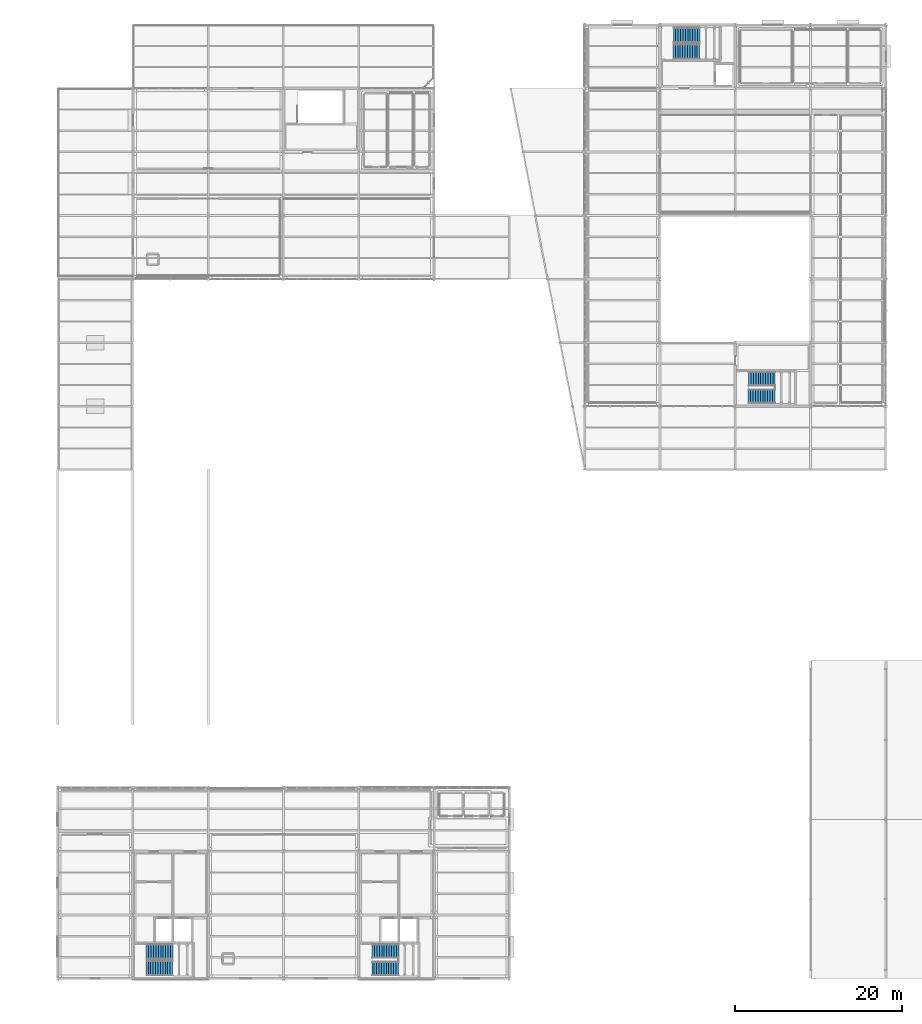
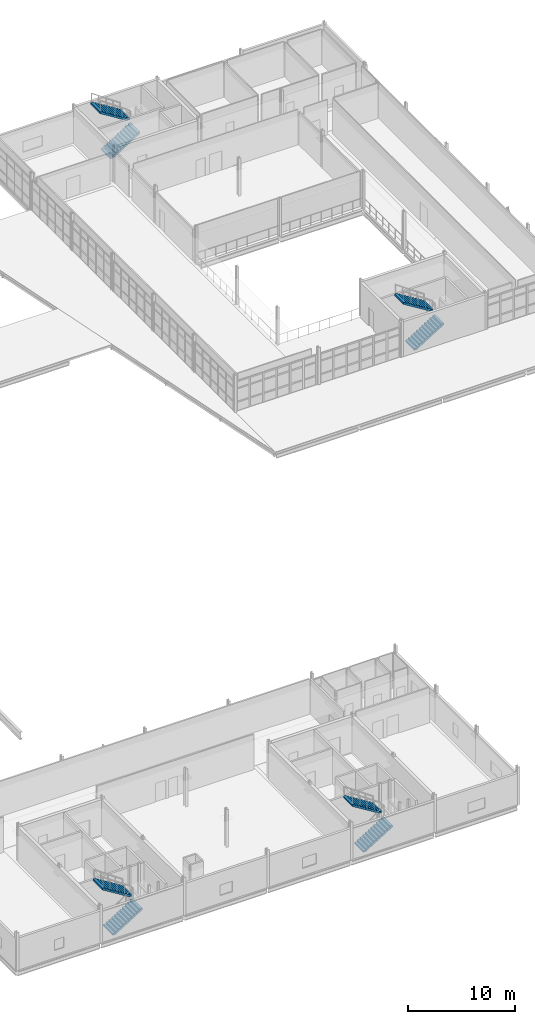
# One storey, part 92 of 96: 8 stair flights, 4 elements without a shape of their own.
"""IFC4 building model written with IfcOpenShell, lengths in metres."""

from ifc_helpers import new_model, si_unit, direction, frame, origin, place, context, subcontext, project, spatial, polyline, outline, extrude, material, type_object, element, aggregate, save


model = new_model("IFC4")

# Units and contexts
model_context = context("Model", 3, precision=1e-05, world=origin(), true_north=direction((0.0, 1.0)))
body_context = subcontext(model_context, "Body", "Model", "MODEL_VIEW")
ifc_project = project(units=[si_unit("LENGTHUNIT", "METRE"), si_unit("AREAUNIT", "SQUARE_METRE"), si_unit("VOLUMEUNIT", "CUBIC_METRE"), si_unit("PLANEANGLEUNIT", "RADIAN"), si_unit("MASSUNIT", "GRAM", prefix="KILO")], contexts=[model_context])

# Site, building, storey
site_placement = place(None, origin())
site = spatial("IfcSite", under=ifc_project, at=site_placement, CompositionType="ELEMENT")
building_placement = place(site_placement, origin())
building = spatial("IfcBuilding", under=site, at=building_placement, Name="Caisbarro Railhouse Central Library", CompositionType="ELEMENT")
storey_placement = place(building_placement, frame((0.0, 0.0, 13.679931640625)))
storey = spatial("IfcBuildingStorey", under=building, at=storey_placement, Name="L03", CompositionType="ELEMENT", Elevation=13.679931640625)

# Stair, stair flights
ifc_material = material(Name="Concrete C35", Category="concrete")
stair_type_1 = type_object("IfcStairType", Name="STR-ST43A", PredefinedType="HALF_TURN_STAIR", material=ifc_material)
stair_1_placement = place(storey_placement, origin())
stair_1 = element("IfcStair", 1, at=stair_1_placement, inside=storey, type_object=stair_type_1, Name="Protected Stair ST-02 (L03)", PredefinedType="HALF_TURN_STAIR")
stair_flight_type_1 = type_object("IfcStairFlightType", Name="STF-ST43A", PredefinedType="STRAIGHT", material=ifc_material)
stair_flight_1_placement = place(storey_placement, frame((91.550048828125, 1.169921875, 0.0), z_axis=(0.0, 0.0, 1.0), x_axis=(1.0, 0.0, 0.0)))
stair_flight_1 = element("IfcStairFlight", 2, at=stair_flight_1_placement, type_object=stair_flight_type_1, Name="ST-02 flight 1", NumberOfRisers=12, NumberOfTreads=11, PredefinedType="STRAIGHT", RiserHeight=0.18, TreadLength=0.29, context=body_context, shape_type="SweptSolid", body=[
    extrude(outline(polyline([(0.0, 0.0), (0.0, 0.179931640625), (0.2900390625, 0.179931640625), (0.2900390625, 0.360107421875), (0.580078125, 0.360107421875), (0.580078125, 0.5400390625), (0.8701171875, 0.5400390625), (0.8701171875, 0.719970703125), (1.159912109375, 0.719970703125), (1.159912109375, 0.89990234375), (1.449951171875, 0.89990234375), (1.449951171875, 1.080078125), (1.739990234375, 1.080078125), (1.739990234375, 1.260009765625), (2.030029296875, 1.260009765625), (2.030029296875, 1.43994140625), (2.320068359375, 1.43994140625), (2.320068359375, 1.6201171875), (2.610107421875, 1.6201171875), (2.610107421875, 1.800048828125), (2.89990234375, 1.800048828125), (2.89990234375, 1.97998046875), (3.18994140625, 1.97998046875), (3.18994140625, 2.159912109375), (3.18994140625, 1.791748046875), (0.30322265625, 0.0), (0.0, 0.0)])), frame((0.0, 0.830078125, 0.0), z_axis=(0.0, -1.0, 0.0), x_axis=(1.0, 0.0, 0.0)), (0.0, 0.0, 1.0), 1.659912109375),
])
stair_flight_2_placement = place(storey_placement, frame((94.780029296875, 3.280029296875, 2.16015625), z_axis=(0.0, 0.0, 1.0), x_axis=(-1.0, 0.0, 0.0)))
stair_flight_2 = element("IfcStairFlight", 3, at=stair_flight_2_placement, type_object=stair_flight_type_1, Name="ST-02 flight 2", NumberOfRisers=12, NumberOfTreads=11, PredefinedType="STRAIGHT", RiserHeight=0.18, TreadLength=0.29, context=body_context, shape_type="SweptSolid", body=[
    extrude(outline(polyline([(0.0, 0.0), (0.0, 0.179931640625), (0.2900390625, 0.179931640625), (0.2900390625, 0.360107421875), (0.580078125, 0.360107421875), (0.580078125, 0.5400390625), (0.8701171875, 0.5400390625), (0.8701171875, 0.719970703125), (1.159912109375, 0.719970703125), (1.159912109375, 0.89990234375), (1.449951171875, 0.89990234375), (1.449951171875, 1.080078125), (1.739990234375, 1.080078125), (1.739990234375, 1.260009765625), (2.030029296875, 1.260009765625), (2.030029296875, 1.43994140625), (2.320068359375, 1.43994140625), (2.320068359375, 1.6201171875), (2.610107421875, 1.6201171875), (2.610107421875, 1.800048828125), (2.89990234375, 1.800048828125), (2.89990234375, 1.97998046875), (3.18994140625, 1.97998046875), (3.18994140625, 2.159912109375), (3.18994140625, 1.791748046875), (0.30322265625, 0.0), (0.0, 0.0)])), frame((0.0, 0.830078125, 0.0), z_axis=(0.0, -1.0, 0.0), x_axis=(1.0, 0.0, 0.0)), (0.0, 0.0, 1.0), 1.659912109375),
])
aggregate(stair_1, [stair_flight_1, stair_flight_2])

stair_2_placement = place(storey_placement, origin())
stair_2 = element("IfcStair", 4, at=stair_2_placement, inside=storey, type_object=stair_type_1, Name="Protected Stair ST-07 (L03)", PredefinedType="HALF_TURN_STAIR")
stair_flight_3_placement = place(storey_placement, frame((136.550048828125, 69.570068359375, 0.0), z_axis=(0.0, 0.0, 1.0), x_axis=(1.0, 0.0, 0.0)))
stair_flight_3 = element("IfcStairFlight", 5, at=stair_flight_3_placement, type_object=stair_flight_type_1, Name="ST-07 flight 1", NumberOfRisers=12, NumberOfTreads=11, PredefinedType="STRAIGHT", RiserHeight=0.18, TreadLength=0.29, context=body_context, shape_type="SweptSolid", body=[
    extrude(outline(polyline([(0.0, 0.0), (0.0, 0.179931640625), (0.2900390625, 0.179931640625), (0.2900390625, 0.360107421875), (0.580078125, 0.360107421875), (0.580078125, 0.5400390625), (0.8701171875, 0.5400390625), (0.8701171875, 0.719970703125), (1.159912109375, 0.719970703125), (1.159912109375, 0.89990234375), (1.449951171875, 0.89990234375), (1.449951171875, 1.080078125), (1.739990234375, 1.080078125), (1.739990234375, 1.260009765625), (2.030029296875, 1.260009765625), (2.030029296875, 1.43994140625), (2.320068359375, 1.43994140625), (2.320068359375, 1.6201171875), (2.610107421875, 1.6201171875), (2.610107421875, 1.800048828125), (2.89990234375, 1.800048828125), (2.89990234375, 1.97998046875), (3.18994140625, 1.97998046875), (3.18994140625, 2.159912109375), (3.18994140625, 1.791748046875), (0.30322265625, 0.0), (0.0, 0.0)])), frame((0.0, 0.830078125, 0.0), z_axis=(0.0, -1.0, 0.0), x_axis=(1.0, 0.0, 0.0)), (0.0, 0.0, 1.0), 1.659912109375),
])
stair_flight_4_placement = place(storey_placement, frame((139.780029296875, 71.679931640625, 2.16015625), z_axis=(0.0, 0.0, 1.0), x_axis=(-1.0, 0.0, 0.0)))
stair_flight_4 = element("IfcStairFlight", 6, at=stair_flight_4_placement, type_object=stair_flight_type_1, Name="ST-07 flight 2", NumberOfRisers=12, NumberOfTreads=11, PredefinedType="STRAIGHT", RiserHeight=0.18, TreadLength=0.29, context=body_context, shape_type="SweptSolid", body=[
    extrude(outline(polyline([(0.0, 0.0), (0.0, 0.179931640625), (0.2900390625, 0.179931640625), (0.2900390625, 0.360107421875), (0.580078125, 0.360107421875), (0.580078125, 0.5400390625), (0.8701171875, 0.5400390625), (0.8701171875, 0.719970703125), (1.159912109375, 0.719970703125), (1.159912109375, 0.89990234375), (1.449951171875, 0.89990234375), (1.449951171875, 1.080078125), (1.739990234375, 1.080078125), (1.739990234375, 1.260009765625), (2.030029296875, 1.260009765625), (2.030029296875, 1.43994140625), (2.320068359375, 1.43994140625), (2.320068359375, 1.6201171875), (2.610107421875, 1.6201171875), (2.610107421875, 1.800048828125), (2.89990234375, 1.800048828125), (2.89990234375, 1.97998046875), (3.18994140625, 1.97998046875), (3.18994140625, 2.159912109375), (3.18994140625, 1.791748046875), (0.30322265625, 0.0), (0.0, 0.0)])), frame((0.0, 0.830078125, 0.0), z_axis=(0.0, -1.0, 0.0), x_axis=(1.0, 0.0, 0.0)), (0.0, 0.0, 1.0), 1.659912109375),
])
aggregate(stair_2, [stair_flight_3, stair_flight_4])

stair_type_2 = type_object("IfcStairType", Name="STR-ST43C", PredefinedType="HALF_TURN_STAIR", material=ifc_material)
stair_3_placement = place(storey_placement, origin())
stair_3 = element("IfcStair", 7, at=stair_3_placement, inside=storey, type_object=stair_type_2, Name="Protected Stair ST-01 (L03)", PredefinedType="HALF_TURN_STAIR")
stair_flight_type_2 = type_object("IfcStairFlightType", Name="STF-ST43C", PredefinedType="STRAIGHT", material=ifc_material)
stair_flight_5_placement = place(storey_placement, frame((64.550048828125, 1.22998046875, 0.0), z_axis=(0.0, 0.0, 1.0), x_axis=(1.0, 0.0, 0.0)))
stair_flight_5 = element("IfcStairFlight", 8, at=stair_flight_5_placement, type_object=stair_flight_type_2, Name="ST-01 flight 1", NumberOfRisers=12, NumberOfTreads=11, PredefinedType="STRAIGHT", RiserHeight=0.18, TreadLength=0.29, context=body_context, shape_type="SweptSolid", body=[
    extrude(outline(polyline([(0.0, 0.0), (0.0, 0.179931640625), (0.2900390625, 0.179931640625), (0.2900390625, 0.360107421875), (0.580078125, 0.360107421875), (0.580078125, 0.5400390625), (0.8701171875, 0.5400390625), (0.8701171875, 0.719970703125), (1.159912109375, 0.719970703125), (1.159912109375, 0.89990234375), (1.449951171875, 0.89990234375), (1.449951171875, 1.080078125), (1.739990234375, 1.080078125), (1.739990234375, 1.260009765625), (2.030029296875, 1.260009765625), (2.030029296875, 1.43994140625), (2.320068359375, 1.43994140625), (2.320068359375, 1.6201171875), (2.610107421875, 1.6201171875), (2.610107421875, 1.800048828125), (2.89990234375, 1.800048828125), (2.89990234375, 1.97998046875), (3.18994140625, 1.97998046875), (3.18994140625, 2.159912109375), (3.18994140625, 1.791748046875), (0.30322265625, 0.0), (0.0, 0.0)])), frame((0.0, 0.89013671875, 0.0), z_axis=(0.0, -1.0, 0.0), x_axis=(1.0, 0.0, 0.0)), (0.0, 0.0, 1.0), 1.780029296875),
])
stair_flight_6_placement = place(storey_placement, frame((67.780029296875, 3.219970703125, 2.16015625), z_axis=(0.0, 0.0, 1.0), x_axis=(-1.0, 0.0, 0.0)))
stair_flight_6 = element("IfcStairFlight", 9, at=stair_flight_6_placement, type_object=stair_flight_type_2, Name="ST-01 flight 2", NumberOfRisers=12, NumberOfTreads=11, PredefinedType="STRAIGHT", RiserHeight=0.18, TreadLength=0.29, context=body_context, shape_type="SweptSolid", body=[
    extrude(outline(polyline([(0.0, 0.0), (0.0, 0.179931640625), (0.2900390625, 0.179931640625), (0.2900390625, 0.360107421875), (0.580078125, 0.360107421875), (0.580078125, 0.5400390625), (0.8701171875, 0.5400390625), (0.8701171875, 0.719970703125), (1.159912109375, 0.719970703125), (1.159912109375, 0.89990234375), (1.449951171875, 0.89990234375), (1.449951171875, 1.080078125), (1.739990234375, 1.080078125), (1.739990234375, 1.260009765625), (2.030029296875, 1.260009765625), (2.030029296875, 1.43994140625), (2.320068359375, 1.43994140625), (2.320068359375, 1.6201171875), (2.610107421875, 1.6201171875), (2.610107421875, 1.800048828125), (2.89990234375, 1.800048828125), (2.89990234375, 1.97998046875), (3.18994140625, 1.97998046875), (3.18994140625, 2.159912109375), (3.18994140625, 1.791748046875), (0.30322265625, 0.0), (0.0, 0.0)])), frame((0.0, 0.89013671875, 0.0), z_axis=(0.0, -1.0, 0.0), x_axis=(1.0, 0.0, 0.0)), (0.0, 0.0, 1.0), 1.780029296875),
])
aggregate(stair_3, [stair_flight_5, stair_flight_6])

stair_4_placement = place(storey_placement, origin())
stair_4 = element("IfcStair", 10, at=stair_4_placement, inside=storey, type_object=stair_type_2, Name="Protected Stair ST-03 (L03)", PredefinedType="HALF_TURN_STAIR")
stair_flight_7_placement = place(storey_placement, frame((127.550048828125, 110.780029296875, 0.0), z_axis=(0.0, 0.0, 1.0), x_axis=(1.0, 0.0, 0.0)))
stair_flight_7 = element("IfcStairFlight", 11, at=stair_flight_7_placement, type_object=stair_flight_type_2, Name="ST-03 flight 1", NumberOfRisers=12, NumberOfTreads=11, PredefinedType="STRAIGHT", RiserHeight=0.18, TreadLength=0.29, context=body_context, shape_type="SweptSolid", body=[
    extrude(outline(polyline([(0.0, 0.0), (0.0, 0.179931640625), (0.2900390625, 0.179931640625), (0.2900390625, 0.360107421875), (0.580078125, 0.360107421875), (0.580078125, 0.5400390625), (0.8701171875, 0.5400390625), (0.8701171875, 0.719970703125), (1.159912109375, 0.719970703125), (1.159912109375, 0.89990234375), (1.449951171875, 0.89990234375), (1.449951171875, 1.080078125), (1.739990234375, 1.080078125), (1.739990234375, 1.260009765625), (2.030029296875, 1.260009765625), (2.030029296875, 1.43994140625), (2.320068359375, 1.43994140625), (2.320068359375, 1.6201171875), (2.610107421875, 1.6201171875), (2.610107421875, 1.800048828125), (2.89990234375, 1.800048828125), (2.89990234375, 1.97998046875), (3.18994140625, 1.97998046875), (3.18994140625, 2.159912109375), (3.18994140625, 1.791748046875), (0.30322265625, 0.0), (0.0, 0.0)])), frame((0.0, 0.89013671875, 0.0), z_axis=(0.0, -1.0, 0.0), x_axis=(1.0, 0.0, 0.0)), (0.0, 0.0, 1.0), 1.780029296875),
])
stair_flight_8_placement = place(storey_placement, frame((130.780029296875, 112.77001953125, 2.16015625), z_axis=(0.0, 0.0, 1.0), x_axis=(-1.0, 0.0, 0.0)))
stair_flight_8 = element("IfcStairFlight", 12, at=stair_flight_8_placement, type_object=stair_flight_type_2, Name="ST-03 flight 2", NumberOfRisers=12, NumberOfTreads=11, PredefinedType="STRAIGHT", RiserHeight=0.18, TreadLength=0.29, context=body_context, shape_type="SweptSolid", body=[
    extrude(outline(polyline([(0.0, 0.0), (0.0, 0.179931640625), (0.2900390625, 0.179931640625), (0.2900390625, 0.360107421875), (0.580078125, 0.360107421875), (0.580078125, 0.5400390625), (0.8701171875, 0.5400390625), (0.8701171875, 0.719970703125), (1.159912109375, 0.719970703125), (1.159912109375, 0.89990234375), (1.449951171875, 0.89990234375), (1.449951171875, 1.080078125), (1.739990234375, 1.080078125), (1.739990234375, 1.260009765625), (2.030029296875, 1.260009765625), (2.030029296875, 1.43994140625), (2.320068359375, 1.43994140625), (2.320068359375, 1.6201171875), (2.610107421875, 1.6201171875), (2.610107421875, 1.800048828125), (2.89990234375, 1.800048828125), (2.89990234375, 1.97998046875), (3.18994140625, 1.97998046875), (3.18994140625, 2.159912109375), (3.18994140625, 1.791748046875), (0.30322265625, 0.0), (0.0, 0.0)])), frame((0.0, 0.89013671875, 0.0), z_axis=(0.0, -1.0, 0.0), x_axis=(1.0, 0.0, 0.0)), (0.0, 0.0, 1.0), 1.780029296875),
])
aggregate(stair_4, [stair_flight_7, stair_flight_8])

save(model, "model.ifc")
